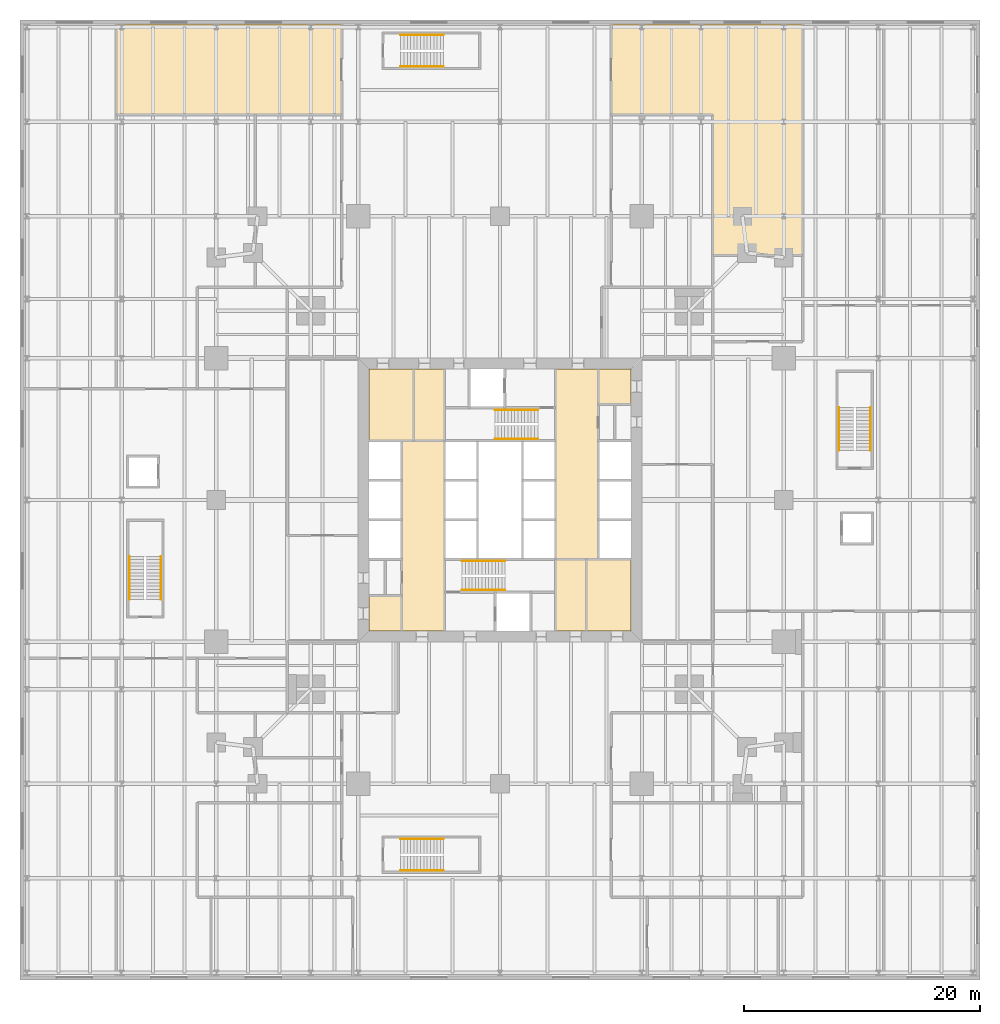
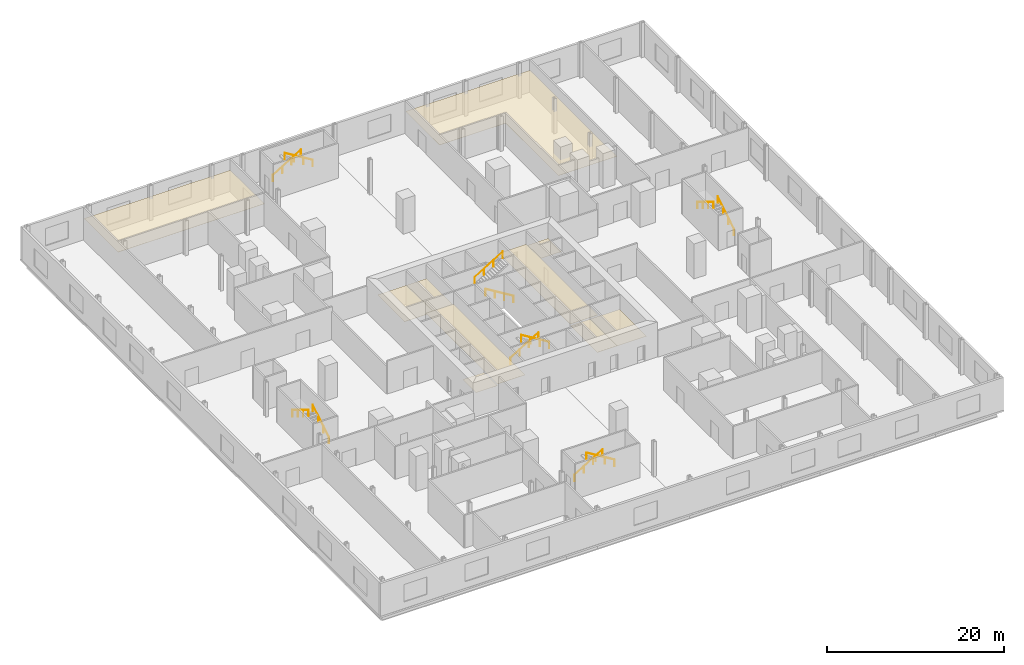
# One storey, part 16 of 16: 12 railings, 10 coverings.
"""IFC4 building model written with IfcOpenShell, lengths in metres."""

from ifc_helpers import new_model, si_unit, direction, frame, origin, origin_2d, place, context, subcontext, project, spatial, polyline, circle, outline, extrude, material, layer, layer_set, type_object, element, save


model = new_model("IFC4")

# Units and contexts
model_context = context("Model", 3, precision=1e-05, world=origin(), true_north=direction((0.0, 1.0)))
body_context = subcontext(model_context, "Body", "Model", "MODEL_VIEW")
ifc_project = project(units=[si_unit("LENGTHUNIT", "METRE"), si_unit("AREAUNIT", "SQUARE_METRE"), si_unit("VOLUMEUNIT", "CUBIC_METRE"), si_unit("PLANEANGLEUNIT", "RADIAN"), si_unit("MASSUNIT", "GRAM", prefix="KILO")], contexts=[model_context])

# Site, building, storey
site_placement = place(None, origin())
site = spatial("IfcSite", under=ifc_project, at=site_placement, CompositionType="ELEMENT")
building_placement = place(site_placement, origin())
building = spatial("IfcBuilding", under=site, at=building_placement, Name="Fenwick Lantern Interchange", CompositionType="ELEMENT")
storey_placement = place(building_placement, frame((0.0, 0.0, 7.0)))
storey = spatial("IfcBuildingStorey", under=building, at=storey_placement, Name="L01", CompositionType="ELEMENT", Elevation=7.0)

# Covering
ifc_material_1 = material(Name="Mineral fibre acoustic tile on suspended grid")
ifc_layer_1 = layer(ifc_material_1, 0.02001953125)
ifc_layer_set_1 = layer_set([ifc_layer_1], Name="ACOUSTIC TILE CEILING 20")
covering_type_1 = type_object("IfcCoveringType", Name="ACOUSTIC TILE CEILING 20", PredefinedType="CEILING", material=ifc_layer_set_1)
covering_1_placement = place(storey_placement, frame((0.0, 0.0, 2.89990234375)))
element("IfcCovering", 1, at=covering_1_placement, inside=storey, type_object=covering_type_1, Name="Transit operations office ceiling", PredefinedType="CEILING", context=body_context, shape_type="SweptSolid", body=[
    extrude(outline(polyline([(11.60009765625, 57.60009765625), (11.60009765625, 65.25), (-7.449951171875, 65.25), (-7.449951171875, 57.60009765625), (11.60009765625, 57.60009765625)])), origin(), (0.0, 0.0, 1.0), 0.02001953125),
])

# Railings
ifc_material_2 = material(Name="Stainless steel handrail", Category="steel")
railing_type = type_object("IfcRailingType", Name="HANDRAIL 900", PredefinedType="HANDRAIL", material=ifc_material_2)
railing_1_placement = place(storey_placement, frame((21.800048828125, 19.825927734375, 0.17138671875)))
element("IfcRailing", 2, at=railing_1_placement, inside=storey, type_object=railing_type, Name="L01/STAIR/ST1/HR1", PredefinedType="HANDRAIL", context=body_context, shape_type="SweptSolid", body=[
    extrude(circle(Radius=0.02392578125, at=origin_2d()), frame((0.0, 0.0, 0.8759765625), z_axis=(0.852850264322, 0.0, 0.5221555579), x_axis=(0.0, 1.0, 0.0)), (0.0, 0.0, 1.0), 4.267822265625),
    extrude(circle(Radius=0.02099609375, at=origin_2d()), origin(), (0.0, 0.0, 1.0), 0.851806640625),
    extrude(circle(Radius=0.02099609375, at=origin_2d()), frame((1.21337890625, 0.0, 0.742919921875)), (0.0, 0.0, 1.0), 0.851806640625),
    extrude(circle(Radius=0.02099609375, at=origin_2d()), frame((2.426513671875, 0.0, 1.485595703125)), (0.0, 0.0, 1.0), 0.851806640625),
    extrude(circle(Radius=0.02099609375, at=origin_2d()), frame((3.639892578125, 0.0, 2.228515625)), (0.0, 0.0, 1.0), 0.851806640625),
])
for number, where, name in (
    (3, (25.43994140625, 17.3740234375, 2.571533203125), "L01/STAIR/ST1/HR2"),
    (4, (28.199951171875, 30.174072265625, 0.17138671875), "L01/STAIR/ST2/HR1"),
):
    element("IfcRailing", number, at=place(storey_placement, frame(where)), inside=storey, type_object=railing_type, Name=name, PredefinedType="HANDRAIL", context=body_context, shape_type="SweptSolid", body=[
        extrude(circle(Radius=0.02392578125, at=origin_2d()), frame((0.0, 0.0, 0.8759765625), z_axis=(-0.852850264322, 0.0, 0.5221555579), x_axis=(0.0, -1.0, 0.0)), (0.0, 0.0, 1.0), 4.267822265625),
        extrude(circle(Radius=0.02099609375, at=origin_2d()), origin(), (0.0, 0.0, 1.0), 0.851806640625),
        extrude(circle(Radius=0.02099609375, at=origin_2d()), frame((-1.21337890625, 0.0, 0.742919921875)), (0.0, 0.0, 1.0), 0.851806640625),
        extrude(circle(Radius=0.02099609375, at=origin_2d()), frame((-2.426513671875, 0.0, 1.485595703125)), (0.0, 0.0, 1.0), 0.851806640625),
        extrude(circle(Radius=0.02099609375, at=origin_2d()), frame((-3.639892578125, 0.0, 2.228515625)), (0.0, 0.0, 1.0), 0.851806640625),
    ])
for number, where, name in (
    (5, (24.56005859375, 32.6259765625, 2.571533203125), "L01/STAIR/ST2/HR2"),
    (6, (16.60009765625, 64.325927734375, 0.17138671875), "L01/STAIR/PS1/HR1"),
):
    element("IfcRailing", number, at=place(storey_placement, frame(where)), inside=storey, type_object=railing_type, Name=name, PredefinedType="HANDRAIL", context=body_context, shape_type="SweptSolid", body=[
        extrude(circle(Radius=0.02392578125, at=origin_2d()), frame((0.0, 0.0, 0.8759765625), z_axis=(0.852850264322, 0.0, 0.5221555579), x_axis=(0.0, 1.0, 0.0)), (0.0, 0.0, 1.0), 4.267822265625),
        extrude(circle(Radius=0.02099609375, at=origin_2d()), origin(), (0.0, 0.0, 1.0), 0.851806640625),
        extrude(circle(Radius=0.02099609375, at=origin_2d()), frame((1.21337890625, 0.0, 0.742919921875)), (0.0, 0.0, 1.0), 0.851806640625),
        extrude(circle(Radius=0.02099609375, at=origin_2d()), frame((2.426513671875, 0.0, 1.485595703125)), (0.0, 0.0, 1.0), 0.851806640625),
        extrude(circle(Radius=0.02099609375, at=origin_2d()), frame((3.639892578125, 0.0, 2.228515625)), (0.0, 0.0, 1.0), 0.851806640625),
    ])
railing_2_placement = place(storey_placement, frame((20.239990234375, 61.674072265625, 2.571533203125)))
element("IfcRailing", 7, at=railing_2_placement, inside=storey, type_object=railing_type, Name="L01/STAIR/PS1/HR2", PredefinedType="HANDRAIL", context=body_context, shape_type="SweptSolid", body=[
    extrude(circle(Radius=0.02392578125, at=origin_2d()), frame((0.0, 0.0, 0.8759765625), z_axis=(-0.852850264322, 0.0, 0.5221555579), x_axis=(0.0, -1.0, 0.0)), (0.0, 0.0, 1.0), 4.267822265625),
    extrude(circle(Radius=0.02099609375, at=origin_2d()), origin(), (0.0, 0.0, 1.0), 0.851806640625),
    extrude(circle(Radius=0.02099609375, at=origin_2d()), frame((-1.21337890625, 0.0, 0.742919921875)), (0.0, 0.0, 1.0), 0.851806640625),
    extrude(circle(Radius=0.02099609375, at=origin_2d()), frame((-2.426513671875, 0.0, 1.485595703125)), (0.0, 0.0, 1.0), 0.851806640625),
    extrude(circle(Radius=0.02099609375, at=origin_2d()), frame((-3.639892578125, 0.0, 2.228515625)), (0.0, 0.0, 1.0), 0.851806640625),
])
railing_3_placement = place(storey_placement, frame((16.60009765625, -3.674072265625, 0.17138671875)))
element("IfcRailing", 8, at=railing_3_placement, inside=storey, type_object=railing_type, Name="L01/STAIR/PS2/HR1", PredefinedType="HANDRAIL", context=body_context, shape_type="SweptSolid", body=[
    extrude(circle(Radius=0.02392578125, at=origin_2d()), frame((0.0, 0.0, 0.8759765625), z_axis=(0.852850264322, 0.0, 0.5221555579), x_axis=(0.0, 1.0, 0.0)), (0.0, 0.0, 1.0), 4.267822265625),
    extrude(circle(Radius=0.02099609375, at=origin_2d()), origin(), (0.0, 0.0, 1.0), 0.851806640625),
    extrude(circle(Radius=0.02099609375, at=origin_2d()), frame((1.21337890625, 0.0, 0.742919921875)), (0.0, 0.0, 1.0), 0.851806640625),
    extrude(circle(Radius=0.02099609375, at=origin_2d()), frame((2.426513671875, 0.0, 1.485595703125)), (0.0, 0.0, 1.0), 0.851806640625),
    extrude(circle(Radius=0.02099609375, at=origin_2d()), frame((3.639892578125, 0.0, 2.228515625)), (0.0, 0.0, 1.0), 0.851806640625),
])
railing_4_placement = place(storey_placement, frame((20.239990234375, -6.325927734375, 2.571533203125)))
element("IfcRailing", 9, at=railing_4_placement, inside=storey, type_object=railing_type, Name="L01/STAIR/PS2/HR2", PredefinedType="HANDRAIL", context=body_context, shape_type="SweptSolid", body=[
    extrude(circle(Radius=0.02392578125, at=origin_2d()), frame((0.0, 0.0, 0.8759765625), z_axis=(-0.852850264322, 0.0, 0.5221555579), x_axis=(0.0, -1.0, 0.0)), (0.0, 0.0, 1.0), 4.267822265625),
    extrude(circle(Radius=0.02099609375, at=origin_2d()), origin(), (0.0, 0.0, 1.0), 0.851806640625),
    extrude(circle(Radius=0.02099609375, at=origin_2d()), frame((-1.21337890625, 0.0, 0.742919921875)), (0.0, 0.0, 1.0), 0.851806640625),
    extrude(circle(Radius=0.02099609375, at=origin_2d()), frame((-2.426513671875, 0.0, 1.485595703125)), (0.0, 0.0, 1.0), 0.851806640625),
    extrude(circle(Radius=0.02099609375, at=origin_2d()), frame((-3.639892578125, 0.0, 2.228515625)), (0.0, 0.0, 1.0), 0.851806640625),
])
railing_5_placement = place(storey_placement, frame((-3.674072265625, 16.60009765625, 0.17138671875)))
element("IfcRailing", 10, at=railing_5_placement, inside=storey, type_object=railing_type, Name="L01/STAIR/PS3/HR1", PredefinedType="HANDRAIL", context=body_context, shape_type="SweptSolid", body=[
    extrude(circle(Radius=0.02392578125, at=origin_2d()), frame((0.0, 0.0, 0.8759765625), z_axis=(0.0, 0.852850264322, 0.5221555579), x_axis=(-1.0, 0.0, 0.0)), (0.0, 0.0, 1.0), 4.267822265625),
    extrude(circle(Radius=0.02099609375, at=origin_2d()), origin(), (0.0, 0.0, 1.0), 0.851806640625),
    extrude(circle(Radius=0.02099609375, at=origin_2d()), frame((0.0, 1.21337890625, 0.742919921875)), (0.0, 0.0, 1.0), 0.851806640625),
    extrude(circle(Radius=0.02099609375, at=origin_2d()), frame((0.0, 2.426513671875, 1.485595703125)), (0.0, 0.0, 1.0), 0.851806640625),
    extrude(circle(Radius=0.02099609375, at=origin_2d()), frame((0.0, 3.639892578125, 2.228515625)), (0.0, 0.0, 1.0), 0.851806640625),
])
railing_6_placement = place(storey_placement, frame((-6.325927734375, 20.239990234375, 2.571533203125)))
element("IfcRailing", 11, at=railing_6_placement, inside=storey, type_object=railing_type, Name="L01/STAIR/PS3/HR2", PredefinedType="HANDRAIL", context=body_context, shape_type="SweptSolid", body=[
    extrude(circle(Radius=0.02392578125, at=origin_2d()), frame((0.0, 0.0, 0.8759765625), z_axis=(0.0, -0.852850264322, 0.5221555579), x_axis=(1.0, 0.0, 0.0)), (0.0, 0.0, 1.0), 4.267822265625),
    extrude(circle(Radius=0.02099609375, at=origin_2d()), origin(), (0.0, 0.0, 1.0), 0.851806640625),
    extrude(circle(Radius=0.02099609375, at=origin_2d()), frame((0.0, -1.21337890625, 0.742919921875)), (0.0, 0.0, 1.0), 0.851806640625),
    extrude(circle(Radius=0.02099609375, at=origin_2d()), frame((0.0, -2.426513671875, 1.485595703125)), (0.0, 0.0, 1.0), 0.851806640625),
    extrude(circle(Radius=0.02099609375, at=origin_2d()), frame((0.0, -3.639892578125, 2.228515625)), (0.0, 0.0, 1.0), 0.851806640625),
])
railing_7_placement = place(storey_placement, frame((56.325927734375, 29.199951171875, 0.17138671875)))
element("IfcRailing", 12, at=railing_7_placement, inside=storey, type_object=railing_type, Name="L01/STAIR/PS4/HR1", PredefinedType="HANDRAIL", context=body_context, shape_type="SweptSolid", body=[
    extrude(circle(Radius=0.02392578125, at=origin_2d()), frame((0.0, 0.0, 0.8759765625), z_axis=(0.0, 0.852865859571, 0.52213008492), x_axis=(-1.0, 0.0, 0.0)), (0.0, 0.0, 1.0), 4.26806640625),
    extrude(circle(Radius=0.02099609375, at=origin_2d()), origin(), (0.0, 0.0, 1.0), 0.851806640625),
    extrude(circle(Radius=0.02099609375, at=origin_2d()), frame((0.0, 1.21337890625, 0.742919921875)), (0.0, 0.0, 1.0), 0.851806640625),
    extrude(circle(Radius=0.02099609375, at=origin_2d()), frame((0.0, 2.4267578125, 1.485595703125)), (0.0, 0.0, 1.0), 0.851806640625),
    extrude(circle(Radius=0.02099609375, at=origin_2d()), frame((0.0, 3.64013671875, 2.228515625)), (0.0, 0.0, 1.0), 0.851806640625),
])
railing_8_placement = place(storey_placement, frame((53.674072265625, 32.840087890625, 2.571533203125)))
element("IfcRailing", 13, at=railing_8_placement, inside=storey, type_object=railing_type, Name="L01/STAIR/PS4/HR2", PredefinedType="HANDRAIL", context=body_context, shape_type="SweptSolid", body=[
    extrude(circle(Radius=0.02392578125, at=origin_2d()), frame((0.0, 0.0, 0.8759765625), z_axis=(0.0, -0.852865859571, 0.52213008492), x_axis=(1.0, 0.0, 0.0)), (0.0, 0.0, 1.0), 4.26806640625),
    extrude(circle(Radius=0.02099609375, at=origin_2d()), origin(), (0.0, 0.0, 1.0), 0.851806640625),
    extrude(circle(Radius=0.02099609375, at=origin_2d()), frame((0.0, -1.21337890625, 0.742919921875)), (0.0, 0.0, 1.0), 0.851806640625),
    extrude(circle(Radius=0.02099609375, at=origin_2d()), frame((0.0, -2.4267578125, 1.485595703125)), (0.0, 0.0, 1.0), 0.851806640625),
    extrude(circle(Radius=0.02099609375, at=origin_2d()), frame((0.0, -3.64013671875, 2.228515625)), (0.0, 0.0, 1.0), 0.851806640625),
])

# Coverings
ifc_material_3 = material(Name="Moisture resistant gypsum board on suspended frame, painted")
ifc_layer_2 = layer(ifc_material_3, 0.014892578125)
ifc_layer_set_2 = layer_set([ifc_layer_2], Name="MOISTURE RESISTANT CEILING 15")
covering_type_2 = type_object("IfcCoveringType", Name="MOISTURE RESISTANT CEILING 15", PredefinedType="CEILING", material=ifc_layer_set_2)
covering_2_placement = place(storey_placement, frame((0.0, 0.0, 2.60009765625)))
element("IfcCovering", 14, at=covering_2_placement, inside=storey, type_object=covering_type_2, Name="Men's WC ceiling", PredefinedType="CEILING", context=body_context, shape_type="SweptSolid", body=[
    extrude(outline(polyline([(29.699951171875, 13.89990234375), (32.300048828125, 13.89990234375), (32.300048828125, 20.0), (29.699951171875, 20.0), (29.699951171875, 13.89990234375)])), origin(), (0.0, 0.0, 1.0), 0.014892578125),
])
covering_3_placement = place(storey_placement, frame((0.0, 0.0, 2.60009765625)))
element("IfcCovering", 15, at=covering_3_placement, inside=storey, type_object=covering_type_2, Name="Women's WC ceiling", PredefinedType="CEILING", context=body_context, shape_type="SweptSolid", body=[
    extrude(outline(polyline([(32.300048828125, 13.89990234375), (36.10009765625, 13.89990234375), (36.10009765625, 20.0), (32.300048828125, 20.0), (32.300048828125, 13.89990234375)])), origin(), (0.0, 0.0, 1.0), 0.014892578125),
])
covering_4_placement = place(storey_placement, frame((0.0, 0.0, 2.60009765625)))
element("IfcCovering", 16, at=covering_4_placement, inside=storey, type_object=covering_type_2, Name="Accessible WC ceiling", PredefinedType="CEILING", context=body_context, shape_type="SweptSolid", body=[
    extrude(outline(polyline([(13.89990234375, 13.89990234375), (16.699951171875, 13.89990234375), (16.699951171875, 16.89990234375), (13.89990234375, 16.89990234375), (13.89990234375, 13.89990234375)])), origin(), (0.0, 0.0, 1.0), 0.014892578125),
])
covering_5_placement = place(storey_placement, frame((0.0, 0.0, 2.60009765625)))
element("IfcCovering", 17, at=covering_5_placement, inside=storey, type_object=covering_type_2, Name="Men's WC ceiling", PredefinedType="CEILING", context=body_context, shape_type="SweptSolid", body=[
    extrude(outline(polyline([(20.300048828125, 36.10009765625), (17.699951171875, 36.10009765625), (17.699951171875, 30.0), (20.300048828125, 30.0), (20.300048828125, 36.10009765625)])), origin(), (0.0, 0.0, 1.0), 0.014892578125),
])
covering_6_placement = place(storey_placement, frame((0.0, 0.0, 2.60009765625)))
element("IfcCovering", 18, at=covering_6_placement, inside=storey, type_object=covering_type_2, Name="Women's WC ceiling", PredefinedType="CEILING", context=body_context, shape_type="SweptSolid", body=[
    extrude(outline(polyline([(17.699951171875, 36.10009765625), (13.89990234375, 36.10009765625), (13.89990234375, 30.0), (17.699951171875, 30.0), (17.699951171875, 36.10009765625)])), origin(), (0.0, 0.0, 1.0), 0.014892578125),
])
covering_7_placement = place(storey_placement, frame((0.0, 0.0, 2.60009765625)))
element("IfcCovering", 19, at=covering_7_placement, inside=storey, type_object=covering_type_2, Name="Accessible WC ceiling", PredefinedType="CEILING", context=body_context, shape_type="SweptSolid", body=[
    extrude(outline(polyline([(36.10009765625, 36.10009765625), (33.300048828125, 36.10009765625), (33.300048828125, 33.10009765625), (36.10009765625, 33.10009765625), (36.10009765625, 36.10009765625)])), origin(), (0.0, 0.0, 1.0), 0.014892578125),
])
covering_8_placement = place(storey_placement, frame((0.0, 0.0, 3.0)))
element("IfcCovering", 20, at=covering_8_placement, inside=storey, type_object=covering_type_2, Name="Market kitchen ceiling", PredefinedType="CEILING", context=body_context, shape_type="SweptSolid", body=[
    extrude(outline(polyline([(43.0, 45.699951171875), (50.60009765625, 45.699951171875), (50.60009765625, 65.25), (34.39990234375, 65.25), (34.39990234375, 57.60009765625), (43.0, 57.60009765625), (43.0, 45.699951171875)])), origin(), (0.0, 0.0, 1.0), 0.014892578125),
])
ifc_material_4 = material(Name="Gypsum plasterboard on suspended frame, painted")
ifc_layer_3 = layer(ifc_material_4, 0.014892578125)
ifc_layer_set_3 = layer_set([ifc_layer_3], Name="PLASTERBOARD CEILING 15")
covering_type_3 = type_object("IfcCoveringType", Name="PLASTERBOARD CEILING 15", PredefinedType="CEILING", material=ifc_layer_set_3)
covering_9_placement = place(storey_placement, frame((0.0, 0.0, 2.800048828125)))
element("IfcCovering", 21, at=covering_9_placement, inside=storey, type_object=covering_type_3, Name="Lift lobby ceiling", PredefinedType="CEILING", context=body_context, shape_type="SweptSolid", body=[
    extrude(outline(polyline([(16.699951171875, 13.89990234375), (20.300048828125, 13.89990234375), (20.300048828125, 30.0), (16.699951171875, 30.0), (16.699951171875, 13.89990234375)])), origin(), (0.0, 0.0, 1.0), 0.014892578125),
])
covering_10_placement = place(storey_placement, frame((0.0, 0.0, 2.800048828125)))
element("IfcCovering", 22, at=covering_10_placement, inside=storey, type_object=covering_type_3, Name="Lift lobby ceiling", PredefinedType="CEILING", context=body_context, shape_type="SweptSolid", body=[
    extrude(outline(polyline([(33.300048828125, 36.10009765625), (29.699951171875, 36.10009765625), (29.699951171875, 20.0), (33.300048828125, 20.0), (33.300048828125, 36.10009765625)])), origin(), (0.0, 0.0, 1.0), 0.014892578125),
])

save(model, "model.ifc")
